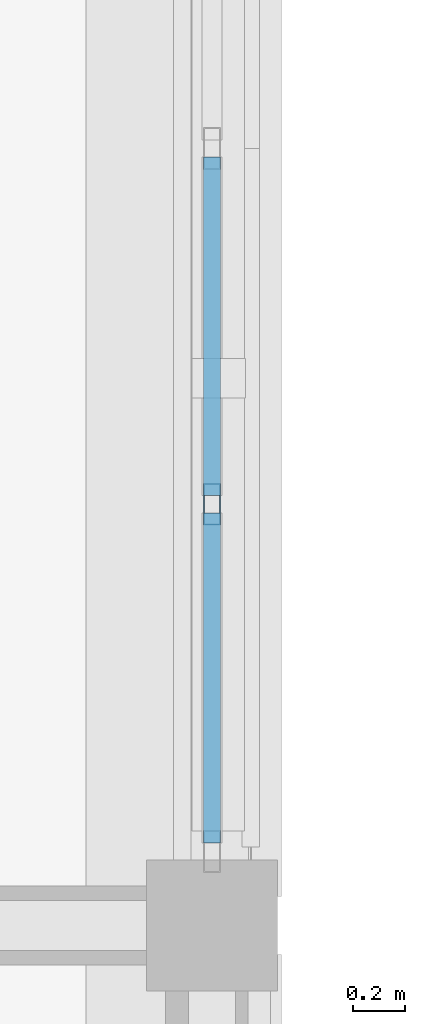
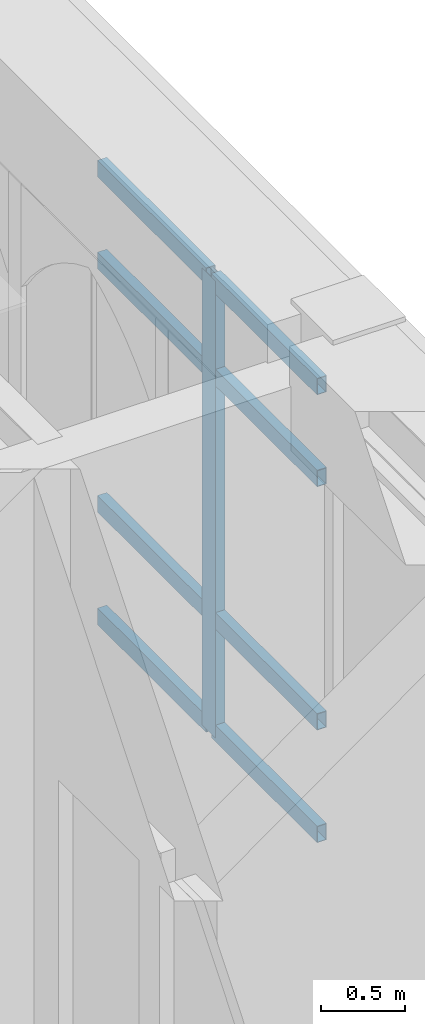
# One storey, part 12 of 127: 9 members, 1 element without a shape of its own.
"""IFC4 building model written with IfcOpenShell, lengths in metres."""

from ifc_helpers import new_model, si_unit, direction, frame, origin, origin_2d, place, context, subcontext, project, spatial, hollow_rectangle, extrude, material, layer, layer_set, material_profile, profile_set, type_object, element, aggregate, save


model = new_model("IFC4")

# Units and contexts
model_context = context("Model", 3, precision=1e-05, world=origin(), true_north=direction((0.0, 1.0)))
body_context = subcontext(model_context, "Body", "Model", "MODEL_VIEW")
ifc_project = project(units=[si_unit("LENGTHUNIT", "METRE"), si_unit("AREAUNIT", "SQUARE_METRE"), si_unit("VOLUMEUNIT", "CUBIC_METRE"), si_unit("PLANEANGLEUNIT", "RADIAN"), si_unit("MASSUNIT", "GRAM", prefix="KILO")], contexts=[model_context])

# Site, building, storey
site_placement = place(None, origin())
site = spatial("IfcSite", under=ifc_project, at=site_placement, CompositionType="ELEMENT")
building_placement = place(site_placement, origin())
building = spatial("IfcBuilding", under=site, at=building_placement, Name="Cumevento Cable Car Station", CompositionType="ELEMENT")
storey_placement = place(building_placement, frame((0.0, 0.0, 4.5)))
storey = spatial("IfcBuildingStorey", under=building, at=storey_placement, Name="L02", CompositionType="ELEMENT", Elevation=4.5)

# Curtain wall, members
ifc_material_1 = material(Name="Anodised Bronze Aluminium AW-6063-T6", Category="aluminium")
ifc_layer = layer(ifc_material_1, 0.196044921875)
ifc_layer_set = layer_set([ifc_layer], Name="Anodised Bronze Aluminium AW-6063-T6")
curtain_wall_type = type_object("IfcCurtainWallType", Name="Lancet Curtain Wall CW-07 1290", PredefinedType="NOTDEFINED", material=ifc_layer_set)
curtain_wall_placement = place(storey_placement, origin())
curtain_wall = element("IfcCurtainWall", 1, at=curtain_wall_placement, inside=storey, type_object=curtain_wall_type, Name="Lancet Curtain Wall CW-07 L02 #54", PredefinedType="NOTDEFINED")
ifc_material_2 = material(Name="Anodised Bronze Aluminium AW-6063-T6", Category="aluminium")
ifc_material_profile_1 = material_profile(ifc_material_2, hollow_rectangle(XDim=0.06494140625, YDim=0.159912109375, WallThickness=0.00390625, at=origin_2d()), Name="ALUM65x160x4")
ifc_profile_set_1 = profile_set([ifc_material_profile_1], Name="Anodised Bronze Aluminium AW-6063-T6")
member_type_1 = type_object("IfcMemberType", Name="Curtain Mullion CWM-01 ALUM65x160x4", PredefinedType="MULLION", material=ifc_profile_set_1)
member_1_placement = place(storey_placement, frame((22.0, 34.606201171875, 0.4599609375), z_axis=(0.0, 0.0, 1.0), x_axis=(1.0, 0.0, 0.0)))
member_1 = element("IfcMember", 2, at=member_1_placement, type_object=member_type_1, Name="CW-07 mullion 4", PredefinedType="MULLION", context=body_context, shape_type="SweptSolid", body=[
    extrude(hollow_rectangle(XDim=0.06494140625, YDim=0.159912109375, WallThickness=0.00390625, at=origin_2d()), origin(), (0.0, 0.0, 1.0), 3.318115234375),
])
ifc_material_3 = material(Name="Anodised Bronze Aluminium AW-6063-T6", Category="aluminium")
ifc_material_profile_2 = material_profile(ifc_material_3, hollow_rectangle(XDim=0.06494140625, YDim=0.1201171875, WallThickness=0.00390625, at=origin_2d()), Name="ALUT65x120x4")
ifc_profile_set_2 = profile_set([ifc_material_profile_2], Name="Anodised Bronze Aluminium AW-6063-T6")
member_type_2 = type_object("IfcMemberType", Name="Curtain Transom CWT-01 ALUT65x120x4", PredefinedType="USERDEFINED", material=ifc_profile_set_2)
member_2_placement = place(storey_placement, frame((22.0, 35.929931640625, 0.492431640625), z_axis=(0.0, -1.0, 0.0), x_axis=(1.0, 0.0, 0.0)))
member_2 = element("IfcMember", 3, at=member_2_placement, type_object=member_type_2, Name="CW-07 transom 3.1", ObjectType="TRANSOM", PredefinedType="USERDEFINED", context=body_context, shape_type="SweptSolid", body=[
    extrude(hollow_rectangle(XDim=0.06494140625, YDim=0.1201171875, WallThickness=0.00390625, at=origin_2d()), origin(), (0.0, 0.0, 1.0), 1.291259765625),
])
member_3_placement = place(storey_placement, frame((22.0, 35.929931640625, 1.31005859375), z_axis=(0.0, -1.0, 0.0), x_axis=(1.0, 0.0, 0.0)))
member_3 = element("IfcMember", 4, at=member_3_placement, type_object=member_type_2, Name="CW-07 transom 3.2", ObjectType="TRANSOM", PredefinedType="USERDEFINED", context=body_context, shape_type="SweptSolid", body=[
    extrude(hollow_rectangle(XDim=0.06494140625, YDim=0.1201171875, WallThickness=0.00390625, at=origin_2d()), origin(), (0.0, 0.0, 1.0), 1.291259765625),
])
member_4_placement = place(storey_placement, frame((22.0, 35.929931640625, 3.077880859375), z_axis=(0.0, -1.0, 0.0), x_axis=(1.0, 0.0, 0.0)))
member_4 = element("IfcMember", 5, at=member_4_placement, type_object=member_type_2, Name="CW-07 transom 3.3", ObjectType="TRANSOM", PredefinedType="USERDEFINED", context=body_context, shape_type="SweptSolid", body=[
    extrude(hollow_rectangle(XDim=0.06494140625, YDim=0.1201171875, WallThickness=0.00390625, at=origin_2d()), origin(), (0.0, 0.0, 1.0), 1.291259765625),
])
member_5_placement = place(storey_placement, frame((22.0, 35.929931640625, 3.74560546875), z_axis=(0.0, -1.0, 0.0), x_axis=(1.0, 0.0, 0.0)))
member_5 = element("IfcMember", 6, at=member_5_placement, type_object=member_type_2, Name="CW-07 transom 3.4", ObjectType="TRANSOM", PredefinedType="USERDEFINED", context=body_context, shape_type="SweptSolid", body=[
    extrude(hollow_rectangle(XDim=0.06494140625, YDim=0.1201171875, WallThickness=0.00390625, at=origin_2d()), origin(), (0.0, 0.0, 1.0), 1.291259765625),
])
member_6_placement = place(storey_placement, frame((22.0, 34.57373046875, 0.492431640625), z_axis=(0.0, -1.0, 0.0), x_axis=(1.0, 0.0, 0.0)))
member_6 = element("IfcMember", 7, at=member_6_placement, type_object=member_type_2, Name="CW-07 transom 4.1", ObjectType="TRANSOM", PredefinedType="USERDEFINED", context=body_context, shape_type="SweptSolid", body=[
    extrude(hollow_rectangle(XDim=0.06494140625, YDim=0.1201171875, WallThickness=0.00390625, at=origin_2d()), origin(), (0.0, 0.0, 1.0), 1.2587890625),
])
member_7_placement = place(storey_placement, frame((22.0, 34.57373046875, 1.31005859375), z_axis=(0.0, -1.0, 0.0), x_axis=(1.0, 0.0, 0.0)))
member_7 = element("IfcMember", 8, at=member_7_placement, type_object=member_type_2, Name="CW-07 transom 4.2", ObjectType="TRANSOM", PredefinedType="USERDEFINED", context=body_context, shape_type="SweptSolid", body=[
    extrude(hollow_rectangle(XDim=0.06494140625, YDim=0.1201171875, WallThickness=0.00390625, at=origin_2d()), origin(), (0.0, 0.0, 1.0), 1.2587890625),
])
member_8_placement = place(storey_placement, frame((22.0, 34.57373046875, 3.077880859375), z_axis=(0.0, -1.0, 0.0), x_axis=(1.0, 0.0, 0.0)))
member_8 = element("IfcMember", 9, at=member_8_placement, type_object=member_type_2, Name="CW-07 transom 4.3", ObjectType="TRANSOM", PredefinedType="USERDEFINED", context=body_context, shape_type="SweptSolid", body=[
    extrude(hollow_rectangle(XDim=0.06494140625, YDim=0.1201171875, WallThickness=0.00390625, at=origin_2d()), origin(), (0.0, 0.0, 1.0), 1.2587890625),
])
member_9_placement = place(storey_placement, frame((22.0, 34.57373046875, 3.74560546875), z_axis=(0.0, -1.0, 0.0), x_axis=(1.0, 0.0, 0.0)))
member_9 = element("IfcMember", 10, at=member_9_placement, type_object=member_type_2, Name="CW-07 transom 4.4", ObjectType="TRANSOM", PredefinedType="USERDEFINED", context=body_context, shape_type="SweptSolid", body=[
    extrude(hollow_rectangle(XDim=0.06494140625, YDim=0.1201171875, WallThickness=0.00390625, at=origin_2d()), origin(), (0.0, 0.0, 1.0), 1.2587890625),
])
aggregate(curtain_wall, [member_1, member_2, member_3, member_4, member_5, member_6, member_7, member_8, member_9])

save(model, "model.ifc")
